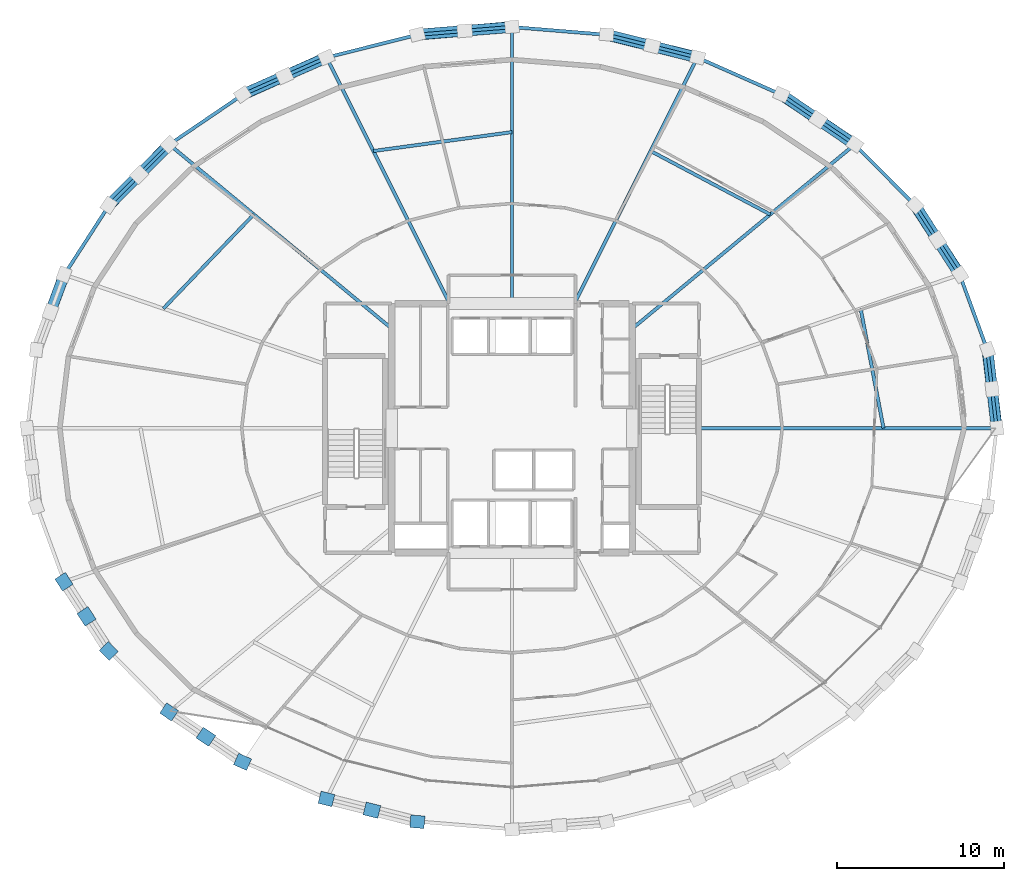
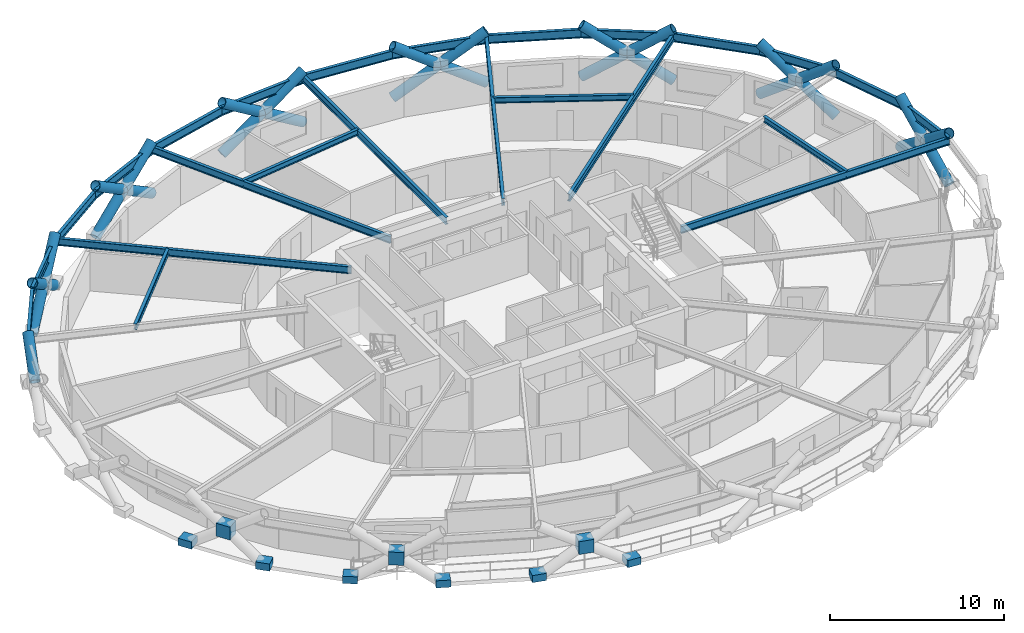
# One storey, part 13 of 22: 24 beams, 22 members, 9 plates.
"""IFC4 building model written with IfcOpenShell, lengths in metres."""

from ifc_helpers import new_model, si_unit, direction, frame, origin, origin_2d, place, context, subcontext, project, spatial, rectangle, hollow_circle, i_section, extrude, material, layer, layer_set, material_profile, profile_set, type_object, element, save


model = new_model("IFC4")

# Units and contexts
model_context = context("Model", 3, precision=1e-05, world=origin(), true_north=direction((0.0, 1.0)))
body_context = subcontext(model_context, "Body", "Model", "MODEL_VIEW")
ifc_project = project(units=[si_unit("LENGTHUNIT", "METRE"), si_unit("AREAUNIT", "SQUARE_METRE"), si_unit("VOLUMEUNIT", "CUBIC_METRE"), si_unit("PLANEANGLEUNIT", "RADIAN"), si_unit("MASSUNIT", "GRAM", prefix="KILO")], contexts=[model_context])

# Site, building, storey
site_placement = place(None, origin())
site = spatial("IfcSite", under=ifc_project, at=site_placement, CompositionType="ELEMENT")
building_placement = place(site_placement, origin())
building = spatial("IfcBuilding", under=site, at=building_placement, Name="Veldorina Hangang Commons", CompositionType="ELEMENT")
storey_placement = place(building_placement, frame((0.0, 0.0, 80.800048828125)))
storey = spatial("IfcBuildingStorey", under=building, at=storey_placement, Name="L20", CompositionType="ELEMENT", Elevation=80.800048828125)

# Beams
ifc_material_1 = material(Name="Steel SM420-TMC", Category="steel")
ifc_material_profile_1 = material_profile(ifc_material_1, i_section(OverallWidth=0.199951171875, OverallDepth=0.5, WebThickness=0.010009765625, FlangeThickness=0.01611328125, FilletRadius=0.01611328125, at=origin_2d()), Name="H-500x200x10x16")
ifc_profile_set_1 = profile_set([ifc_material_profile_1], Name="Steel SM420-TMC")
beam_type_1 = type_object("IfcBeamType", Name="BM-FG500", PredefinedType="BEAM", material=ifc_profile_set_1)
beam_1_placement = place(storey_placement, frame((43.179931640625, 24.0, 3.08984375), z_axis=(1.0, 0.0, 0.0), x_axis=(0.0, 1.0, 0.0)))
element("IfcBeam", 1, at=beam_1_placement, inside=storey, type_object=beam_type_1, Name="L20 radial floor girder 01", PredefinedType="BEAM", context=body_context, shape_type="SweptSolid", body=[
    extrude(i_section(OverallWidth=0.199951171875, OverallDepth=0.5, WebThickness=0.010009765625, FlangeThickness=0.01611328125, FilletRadius=0.01611328125, at=origin_2d()), origin(), (0.0, 0.0, 1.0), 17.802490234375),
])
beam_2_placement = place(storey_placement, frame((39.199951171875, 29.959228515625, 3.08984375), z_axis=(0.770360053232, 0.637609118806, 0.0), x_axis=(-0.637609118806, 0.770360053232, 0.0)))
element("IfcBeam", 2, at=beam_2_placement, inside=storey, type_object=beam_type_1, Name="L20 radial floor girder 03", PredefinedType="BEAM", context=body_context, shape_type="SweptSolid", body=[
    extrude(i_section(OverallWidth=0.199951171875, OverallDepth=0.5, WebThickness=0.010009765625, FlangeThickness=0.01611328125, FilletRadius=0.01611328125, at=origin_2d()), origin(), (0.0, 0.0, 1.0), 17.256103515625),
])
beam_3_placement = place(storey_placement, frame((35.728515625, 31.449951171875, 3.08984375), z_axis=(0.447540053127, 0.894263887701, 0.0), x_axis=(-0.894263887701, 0.447540053127, 0.0)))
element("IfcBeam", 3, at=beam_3_placement, inside=storey, type_object=beam_type_1, Name="L20 radial floor girder 04", PredefinedType="BEAM", context=body_context, shape_type="SweptSolid", body=[
    extrude(i_section(OverallWidth=0.199951171875, OverallDepth=0.5, WebThickness=0.010009765625, FlangeThickness=0.01611328125, FilletRadius=0.01611328125, at=origin_2d()), origin(), (0.0, 0.0, 1.0), 16.451171875),
])
beam_4_placement = place(storey_placement, frame((32.0, 31.449951171875, 3.08984375), z_axis=(0.0, 1.0, 0.0), x_axis=(-1.0, 0.0, 0.0)))
element("IfcBeam", 4, at=beam_4_placement, inside=storey, type_object=beam_type_1, Name="L20 radial floor girder 05", PredefinedType="BEAM", context=body_context, shape_type="SweptSolid", body=[
    extrude(i_section(OverallWidth=0.199951171875, OverallDepth=0.5, WebThickness=0.010009765625, FlangeThickness=0.01611328125, FilletRadius=0.01611328125, at=origin_2d()), origin(), (0.0, 0.0, 1.0), 16.53759765625),
])
beam_5_placement = place(storey_placement, frame((28.271484375, 31.449951171875, 3.08984375), z_axis=(-0.447540053127, 0.894263887701, 0.0), x_axis=(-0.894263887701, -0.447540053127, 0.0)))
element("IfcBeam", 5, at=beam_5_placement, inside=storey, type_object=beam_type_1, Name="L20 radial floor girder 06", PredefinedType="BEAM", context=body_context, shape_type="SweptSolid", body=[
    extrude(i_section(OverallWidth=0.199951171875, OverallDepth=0.5, WebThickness=0.010009765625, FlangeThickness=0.01611328125, FilletRadius=0.01611328125, at=origin_2d()), origin(), (0.0, 0.0, 1.0), 16.451171875),
])
beam_6_placement = place(storey_placement, frame((24.800048828125, 29.959228515625, 3.08984375), z_axis=(-0.770360053232, 0.637609118806, 0.0), x_axis=(-0.637609118806, -0.770360053232, 0.0)))
element("IfcBeam", 6, at=beam_6_placement, inside=storey, type_object=beam_type_1, Name="L20 radial floor girder 07", PredefinedType="BEAM", context=body_context, shape_type="SweptSolid", body=[
    extrude(i_section(OverallWidth=0.199951171875, OverallDepth=0.5, WebThickness=0.010009765625, FlangeThickness=0.01611328125, FilletRadius=0.01611328125, at=origin_2d()), origin(), (0.0, 0.0, 1.0), 17.256103515625),
])
ifc_material_2 = material(Name="Steel SM355-TMC", Category="steel")
ifc_material_profile_2 = material_profile(ifc_material_2, i_section(OverallWidth=0.199951171875, OverallDepth=0.39990234375, WebThickness=0.008056640625, FlangeThickness=0.012939453125, FilletRadius=0.012939453125, at=origin_2d()), Name="H-400x200x8x13")
ifc_profile_set_2 = profile_set([ifc_material_profile_2], Name="Steel SM355-TMC")
beam_type_2 = type_object("IfcBeamType", Name="BM-JST400", PredefinedType="JOIST", material=ifc_profile_set_2)
beam_7_placement = place(storey_placement, frame((54.21728515625, 24.0, 3.139892578125), z_axis=(-0.187929057734, 0.982182604845, 0.0), x_axis=(-0.982182604845, -0.187929057734, 0.0)))
element("IfcBeam", 7, at=beam_7_placement, inside=storey, type_object=beam_type_2, Name="L20 secondary floor joist 01", PredefinedType="JOIST", context=body_context, shape_type="SweptSolid", body=[
    extrude(i_section(OverallWidth=0.199951171875, OverallDepth=0.39990234375, WebThickness=0.008056640625, FlangeThickness=0.012939453125, FilletRadius=0.012939453125, at=origin_2d()), origin(), (0.0, 0.0, 1.0), 7.277587890625),
])
beam_8_placement = place(storey_placement, frame((47.44189453125, 36.78076171875, 3.139892578125), z_axis=(-0.883484618335, 0.468460168173, 0.0), x_axis=(-0.468460168173, -0.883484618335, 0.0)))
element("IfcBeam", 8, at=beam_8_placement, inside=storey, type_object=beam_type_2, Name="L20 secondary floor joist 03", PredefinedType="JOIST", context=body_context, shape_type="SweptSolid", body=[
    extrude(i_section(OverallWidth=0.199951171875, OverallDepth=0.39990234375, WebThickness=0.008056640625, FlangeThickness=0.012939453125, FilletRadius=0.012939453125, at=origin_2d()), origin(), (0.0, 0.0, 1.0), 8.091552734375),
])
beam_9_placement = place(storey_placement, frame((32.0, 41.703369140625, 3.139892578125), z_axis=(-0.990811166451, -0.135252476636, 0.0), x_axis=(0.135252476636, -0.990811166451, 0.0)))
element("IfcBeam", 9, at=beam_9_placement, inside=storey, type_object=beam_type_2, Name="L20 secondary floor joist 05", PredefinedType="JOIST", context=body_context, shape_type="SweptSolid", body=[
    extrude(i_section(OverallWidth=0.199951171875, OverallDepth=0.39990234375, WebThickness=0.008056640625, FlangeThickness=0.012939453125, FilletRadius=0.012939453125, at=origin_2d()), origin(), (0.0, 0.0, 1.0), 8.3701171875),
])
beam_10_placement = place(storey_placement, frame((16.55810546875, 36.78076171875, 3.139892578125), z_axis=(-0.692546146459, -0.721373575219, 0.0), x_axis=(0.721373575219, -0.692546146459, 0.0)))
element("IfcBeam", 10, at=beam_10_placement, inside=storey, type_object=beam_type_2, Name="L20 secondary floor joist 07", PredefinedType="JOIST", context=body_context, shape_type="SweptSolid", body=[
    extrude(i_section(OverallWidth=0.199951171875, OverallDepth=0.39990234375, WebThickness=0.008056640625, FlangeThickness=0.012939453125, FilletRadius=0.012939453125, at=origin_2d()), origin(), (0.0, 0.0, 1.0), 7.808349609375),
])
ifc_material_profile_3 = material_profile(ifc_material_1, i_section(OverallWidth=0.199951171875, OverallDepth=0.60009765625, WebThickness=0.010986328125, FlangeThickness=0.01708984375, FilletRadius=0.01806640625, at=origin_2d()), Name="H-600x200x11x17")
ifc_profile_set_3 = profile_set([ifc_material_profile_3], Name="Steel SM420-TMC")
beam_type_3 = type_object("IfcBeamType", Name="BM-RB600", PredefinedType="BEAM", material=ifc_profile_set_3)
beam_11_placement = place(storey_placement, frame((60.982421875, 24.0, 3.0400390625), z_axis=(-0.118217754595, 0.992987695039, 0.0), x_axis=(-0.992987695039, -0.118217754595, 0.0)))
element("IfcBeam", 11, at=beam_11_placement, inside=storey, type_object=beam_type_3, Name="L20 perimeter hoop ring beam 00", PredefinedType="BEAM", context=body_context, shape_type="SweptSolid", body=[
    extrude(i_section(OverallWidth=0.199951171875, OverallDepth=0.60009765625, WebThickness=0.010986328125, FlangeThickness=0.01708984375, FilletRadius=0.01806640625, at=origin_2d()), origin(), (0.0, 0.0, 1.0), 4.712646484375),
])
beam_12_placement = place(storey_placement, frame((60.42529296875, 28.6796875, 3.0400390625), z_axis=(-0.344101973275, 0.938932282962, 0.0), x_axis=(-0.938932282962, -0.344101973275, 0.0)))
element("IfcBeam", 12, at=beam_12_placement, inside=storey, type_object=beam_type_3, Name="L20 perimeter hoop ring beam 01", PredefinedType="BEAM", context=body_context, shape_type="SweptSolid", body=[
    extrude(i_section(OverallWidth=0.199951171875, OverallDepth=0.60009765625, WebThickness=0.010986328125, FlangeThickness=0.01708984375, FilletRadius=0.01806640625, at=origin_2d()), origin(), (0.0, 0.0, 1.0), 4.792724609375),
])
beam_13_placement = place(storey_placement, frame((58.776123046875, 33.1796875, 3.0400390625), z_axis=(-0.542498531233, 0.840056750232, 0.0), x_axis=(-0.840056750232, -0.542498531233, 0.0)))
element("IfcBeam", 13, at=beam_13_placement, inside=storey, type_object=beam_type_3, Name="L20 perimeter hoop ring beam 02", PredefinedType="BEAM", context=body_context, shape_type="SweptSolid", body=[
    extrude(i_section(OverallWidth=0.199951171875, OverallDepth=0.60009765625, WebThickness=0.010986328125, FlangeThickness=0.01708984375, FilletRadius=0.01806640625, at=origin_2d()), origin(), (0.0, 0.0, 1.0), 4.936767578125),
])
beam_14_placement = place(storey_placement, frame((56.097900390625, 37.326904296875, 3.0400390625), z_axis=(-0.704119769515, 0.710081227873, 0.0), x_axis=(-0.710081227873, -0.704119769515, 0.0)))
element("IfcBeam", 14, at=beam_14_placement, inside=storey, type_object=beam_type_3, Name="L20 perimeter hoop ring beam 03", PredefinedType="BEAM", context=body_context, shape_type="SweptSolid", body=[
    extrude(i_section(OverallWidth=0.199951171875, OverallDepth=0.60009765625, WebThickness=0.010986328125, FlangeThickness=0.01708984375, FilletRadius=0.01806640625, at=origin_2d()), origin(), (0.0, 0.0, 1.0), 5.119140625),
])
beam_15_placement = place(storey_placement, frame((52.493408203125, 40.9619140625, 3.0400390625), z_axis=(-0.82722233744, 0.561874723084, 0.0), x_axis=(-0.561874723084, -0.82722233744, 0.0)))
element("IfcBeam", 15, at=beam_15_placement, inside=storey, type_object=beam_type_3, Name="L20 perimeter hoop ring beam 04", PredefinedType="BEAM", context=body_context, shape_type="SweptSolid", body=[
    extrude(i_section(OverallWidth=0.199951171875, OverallDepth=0.60009765625, WebThickness=0.010986328125, FlangeThickness=0.01708984375, FilletRadius=0.01806640625, at=origin_2d()), origin(), (0.0, 0.0, 1.0), 5.308837890625),
])
beam_16_placement = place(storey_placement, frame((48.101806640625, 43.94482421875, 3.0400390625), z_axis=(-0.914501099658, 0.404583413803, 0.0), x_axis=(-0.404583413803, -0.914501099658, 0.0)))
element("IfcBeam", 16, at=beam_16_placement, inside=storey, type_object=beam_type_3, Name="L20 perimeter hoop ring beam 05", PredefinedType="BEAM", context=body_context, shape_type="SweptSolid", body=[
    extrude(i_section(OverallWidth=0.199951171875, OverallDepth=0.60009765625, WebThickness=0.010986328125, FlangeThickness=0.01708984375, FilletRadius=0.01806640625, at=origin_2d()), origin(), (0.0, 0.0, 1.0), 5.479248046875),
])
beam_17_placement = place(storey_placement, frame((43.091064453125, 46.16162109375, 3.0400390625), z_axis=(-0.96990120544, 0.243498771424, 0.0), x_axis=(-0.243498771424, -0.96990120544, 0.0)))
element("IfcBeam", 17, at=beam_17_placement, inside=storey, type_object=beam_type_3, Name="L20 perimeter hoop ring beam 06", PredefinedType="BEAM", context=body_context, shape_type="SweptSolid", body=[
    extrude(i_section(OverallWidth=0.199951171875, OverallDepth=0.60009765625, WebThickness=0.010986328125, FlangeThickness=0.01708984375, FilletRadius=0.01806640625, at=origin_2d()), origin(), (0.0, 0.0, 1.0), 5.605712890625),
])
for number, where, z_axis, x_axis, name in (
    (18, (37.654052734375, 47.526611328125, 3.0400390625), (-0.996693441702, 0.081253820024, 0.0), (-0.081253820024, -0.996693441702, 0.0), "L20 perimeter hoop ring beam 07"),
    (19, (32.0, 47.987548828125, 3.0400390625), (-0.996693441702, -0.081253820024, 0.0), (0.081253820024, -0.996693441702, 0.0), "L20 perimeter hoop ring beam 08"),
):
    element("IfcBeam", number, at=place(storey_placement, frame(where, z_axis=z_axis, x_axis=x_axis)), inside=storey, type_object=beam_type_3, Name=name, PredefinedType="BEAM", context=body_context, shape_type="SweptSolid", body=[
        extrude(i_section(OverallWidth=0.199951171875, OverallDepth=0.60009765625, WebThickness=0.010986328125, FlangeThickness=0.01708984375, FilletRadius=0.01806640625, at=origin_2d()), origin(), (0.0, 0.0, 1.0), 5.6728515625),
    ])
beam_18_placement = place(storey_placement, frame((26.345947265625, 47.526611328125, 3.0400390625), z_axis=(-0.96990120544, -0.243498771424, 0.0), x_axis=(0.243498771424, -0.96990120544, 0.0)))
element("IfcBeam", 20, at=beam_18_placement, inside=storey, type_object=beam_type_3, Name="L20 perimeter hoop ring beam 09", PredefinedType="BEAM", context=body_context, shape_type="SweptSolid", body=[
    extrude(i_section(OverallWidth=0.199951171875, OverallDepth=0.60009765625, WebThickness=0.010986328125, FlangeThickness=0.01708984375, FilletRadius=0.01806640625, at=origin_2d()), origin(), (0.0, 0.0, 1.0), 5.605712890625),
])
beam_19_placement = place(storey_placement, frame((20.908935546875, 46.16162109375, 3.0400390625), z_axis=(-0.914501099658, -0.404583413803, 0.0), x_axis=(0.404583413803, -0.914501099658, 0.0)))
element("IfcBeam", 21, at=beam_19_placement, inside=storey, type_object=beam_type_3, Name="L20 perimeter hoop ring beam 10", PredefinedType="BEAM", context=body_context, shape_type="SweptSolid", body=[
    extrude(i_section(OverallWidth=0.199951171875, OverallDepth=0.60009765625, WebThickness=0.010986328125, FlangeThickness=0.01708984375, FilletRadius=0.01806640625, at=origin_2d()), origin(), (0.0, 0.0, 1.0), 5.479248046875),
])
beam_20_placement = place(storey_placement, frame((15.898193359375, 43.94482421875, 3.0400390625), z_axis=(-0.82722233744, -0.561874723084, 0.0), x_axis=(0.561874723084, -0.82722233744, 0.0)))
element("IfcBeam", 22, at=beam_20_placement, inside=storey, type_object=beam_type_3, Name="L20 perimeter hoop ring beam 11", PredefinedType="BEAM", context=body_context, shape_type="SweptSolid", body=[
    extrude(i_section(OverallWidth=0.199951171875, OverallDepth=0.60009765625, WebThickness=0.010986328125, FlangeThickness=0.01708984375, FilletRadius=0.01806640625, at=origin_2d()), origin(), (0.0, 0.0, 1.0), 5.308837890625),
])
beam_21_placement = place(storey_placement, frame((11.506591796875, 40.9619140625, 3.0400390625), z_axis=(-0.704119769515, -0.710081227873, 0.0), x_axis=(0.710081227873, -0.704119769515, 0.0)))
element("IfcBeam", 23, at=beam_21_placement, inside=storey, type_object=beam_type_3, Name="L20 perimeter hoop ring beam 12", PredefinedType="BEAM", context=body_context, shape_type="SweptSolid", body=[
    extrude(i_section(OverallWidth=0.199951171875, OverallDepth=0.60009765625, WebThickness=0.010986328125, FlangeThickness=0.01708984375, FilletRadius=0.01806640625, at=origin_2d()), origin(), (0.0, 0.0, 1.0), 5.119140625),
])
beam_22_placement = place(storey_placement, frame((7.902099609375, 37.326904296875, 3.0400390625), z_axis=(-0.542498531233, -0.840056750232, 0.0), x_axis=(0.840056750232, -0.542498531233, 0.0)))
element("IfcBeam", 24, at=beam_22_placement, inside=storey, type_object=beam_type_3, Name="L20 perimeter hoop ring beam 13", PredefinedType="BEAM", context=body_context, shape_type="SweptSolid", body=[
    extrude(i_section(OverallWidth=0.199951171875, OverallDepth=0.60009765625, WebThickness=0.010986328125, FlangeThickness=0.01708984375, FilletRadius=0.01806640625, at=origin_2d()), origin(), (0.0, 0.0, 1.0), 4.936767578125),
])

# Members
ifc_material_3 = material(Name="Steel SM460-TMC", Category="steel")
ifc_material_profile_4 = material_profile(ifc_material_3, hollow_circle(Radius=0.324951171875, WallThickness=0.031982421875, at=origin_2d()), Name="CHS-650x32")
ifc_profile_set_4 = profile_set([ifc_material_profile_4], Name="Steel SM460-TMC")
member_type = type_object("IfcMemberType", Name="DG-CHS650", PredefinedType="BRACE", material=ifc_profile_set_4)
member_1_placement = place(storey_placement, frame((61.0, 24.0, 0.0), z_axis=(-0.097418686877, 0.788815611613, 0.606860387834), x_axis=(-0.992460023774, -0.122568761154, 0.0)))
element("IfcMember", 25, at=member_1_placement, inside=storey, type_object=member_type, Name="L20 continuous perimeter diagrid brace 00", PredefinedType="BRACE", context=body_context, shape_type="SweptSolid", body=[
    extrude(hollow_circle(Radius=0.324951171875, WallThickness=0.031982421875, at=origin_2d()), origin(), (0.0, 0.0, 1.0), 5.931884765625),
])
member_2_placement = place(storey_placement, frame((60.44287109375, 28.68212890625, 0.0), z_axis=(0.090376433627, -0.789517988475, 0.607036610197), x_axis=(0.993511957412, 0.113727703215, 0.0)))
element("IfcMember", 26, at=member_2_placement, inside=storey, type_object=member_type, Name="L20 split perimeter diagrid lower brace 01", PredefinedType="BRACE", context=body_context, shape_type="SweptSolid", body=[
    extrude(hollow_circle(Radius=0.324951171875, WallThickness=0.031982421875, at=origin_2d()), origin(), (0.0, 0.0, 1.0), 2.966064453125),
])
member_3_placement = place(storey_placement, frame((60.7109375, 26.34033203125, 1.800537109375), z_axis=(0.090434287664, -0.789529218166, 0.607013388054), x_axis=(0.993503911967, 0.113797965297, 0.0)))
element("IfcMember", 27, at=member_3_placement, inside=storey, type_object=member_type, Name="L20 split perimeter diagrid upper brace 01", PredefinedType="BRACE", context=body_context, shape_type="SweptSolid", body=[
    extrude(hollow_circle(Radius=0.324951171875, WallThickness=0.031982421875, at=origin_2d()), origin(), (0.0, 0.0, 1.0), 2.964111328125),
])
member_4_placement = place(storey_placement, frame((58.79248046875, 33.184326171875, 0.0), z_axis=(-0.441150326606, 0.677298320048, 0.588772770257), x_axis=(-0.837930835163, -0.545776433609, 0.0)))
element("IfcMember", 28, at=member_4_placement, inside=storey, type_object=member_type, Name="L20 continuous perimeter diagrid brace 02", PredefinedType="BRACE", context=body_context, shape_type="SweptSolid", body=[
    extrude(hollow_circle(Radius=0.324951171875, WallThickness=0.031982421875, at=origin_2d()), origin(), (0.0, 0.0, 1.0), 6.1142578125),
])
member_5_placement = place(storey_placement, frame((56.112548828125, 37.333740234375, 0.0), z_axis=(0.435650597399, -0.680289467082, 0.589419034273), x_axis=(0.842122238199, 0.539286691779, 0.0)))
element("IfcMember", 29, at=member_5_placement, inside=storey, type_object=member_type, Name="L20 split perimeter diagrid lower brace 03", PredefinedType="BRACE", context=body_context, shape_type="SweptSolid", body=[
    extrude(hollow_circle(Radius=0.324951171875, WallThickness=0.031982421875, at=origin_2d()), origin(), (0.0, 0.0, 1.0), 3.0546875),
])
member_6_placement = place(storey_placement, frame((57.443359375, 35.255615234375, 1.800537109375), z_axis=(0.435612602481, -0.680329797926, 0.589400565501), x_axis=(0.842158115477, 0.539230663572, 0.0)))
element("IfcMember", 30, at=member_6_placement, inside=storey, type_object=member_type, Name="L20 split perimeter diagrid upper brace 03", PredefinedType="BRACE", context=body_context, shape_type="SweptSolid", body=[
    extrude(hollow_circle(Radius=0.324951171875, WallThickness=0.031982421875, at=origin_2d()), origin(), (0.0, 0.0, 1.0), 3.052734375),
])
member_7_placement = place(storey_placement, frame((52.506103515625, 40.970703125, 0.0), z_axis=(-0.686391579322, 0.463032883325, 0.560773705513), x_axis=(-0.559239319862, -0.829006262413, 0.0)))
element("IfcMember", 31, at=member_7_placement, inside=storey, type_object=member_type, Name="L20 continuous perimeter diagrid brace 04", PredefinedType="BRACE", context=body_context, shape_type="SweptSolid", body=[
    extrude(hollow_circle(Radius=0.324951171875, WallThickness=0.031982421875, at=origin_2d()), origin(), (0.0, 0.0, 1.0), 6.41943359375),
])
member_8_placement = place(storey_placement, frame((48.111572265625, 43.955322265625, 0.0), z_axis=(0.683081972865, -0.467111443831, 0.561432023836), x_axis=(0.564469535312, 0.825453901623, 0.0)))
element("IfcMember", 32, at=member_8_placement, inside=storey, type_object=member_type, Name="L20 split perimeter diagrid lower brace 05", PredefinedType="BRACE", context=body_context, shape_type="SweptSolid", body=[
    extrude(hollow_circle(Radius=0.324951171875, WallThickness=0.031982421875, at=origin_2d()), origin(), (0.0, 0.0, 1.0), 3.20703125),
])
member_9_placement = place(storey_placement, frame((50.30224609375, 42.457275390625, 1.800537109375), z_axis=(0.683040836099, -0.467143253062, 0.56145560585), x_axis=(0.56451888906, 0.82542014992, 0.0)))
element("IfcMember", 33, at=member_9_placement, inside=storey, type_object=member_type, Name="L20 split perimeter diagrid upper brace 05", PredefinedType="BRACE", context=body_context, shape_type="SweptSolid", body=[
    extrude(hollow_circle(Radius=0.324951171875, WallThickness=0.031982421875, at=origin_2d()), origin(), (0.0, 0.0, 1.0), 3.204833984375),
])
member_10_placement = place(storey_placement, frame((43.097900390625, 46.173095703125, 0.0), z_axis=(-0.816821732886, 0.202740282131, 0.540091320691), x_axis=(-0.240896786714, -0.970550739607, 0.0)))
element("IfcMember", 34, at=member_10_placement, inside=storey, type_object=member_type, Name="L20 continuous perimeter diagrid brace 06", PredefinedType="BRACE", context=body_context, shape_type="SweptSolid", body=[
    extrude(hollow_circle(Radius=0.324951171875, WallThickness=0.031982421875, at=origin_2d()), origin(), (0.0, 0.0, 1.0), 6.665283203125),
])
member_11_placement = place(storey_placement, frame((37.65771484375, 47.538818359375, 0.0), z_axis=(0.815522808728, -0.207013382573, 0.540433166895), x_axis=(0.246038262979, 0.969260116352, 0.0)))
element("IfcMember", 35, at=member_11_placement, inside=storey, type_object=member_type, Name="L20 split perimeter diagrid lower brace 07", PredefinedType="BRACE", context=body_context, shape_type="SweptSolid", body=[
    extrude(hollow_circle(Radius=0.324951171875, WallThickness=0.031982421875, at=origin_2d()), origin(), (0.0, 0.0, 1.0), 3.33154296875),
])
member_12_placement = place(storey_placement, frame((40.374755859375, 46.84912109375, 1.800537109375), z_axis=(0.81548791761, -0.207153436494, 0.540432151136), x_axis=(0.246204528084, 0.969217896219, 0.0)))
element("IfcMember", 36, at=member_12_placement, inside=storey, type_object=member_type, Name="L20 split perimeter diagrid upper brace 07", PredefinedType="BRACE", context=body_context, shape_type="SweptSolid", body=[
    extrude(hollow_circle(Radius=0.324951171875, WallThickness=0.031982421875, at=origin_2d()), origin(), (0.0, 0.0, 1.0), 3.329345703125),
])
member_13_placement = place(storey_placement, frame((32.0, 48.0, 0.0), z_axis=(-0.841401888102, -0.070779931685, 0.535754667706), x_axis=(0.083825363275, -0.996480460657, 0.0)))
element("IfcMember", 37, at=member_13_placement, inside=storey, type_object=member_type, Name="L20 continuous perimeter diagrid brace 08", PredefinedType="BRACE", context=body_context, shape_type="SweptSolid", body=[
    extrude(hollow_circle(Radius=0.324951171875, WallThickness=0.031982421875, at=origin_2d()), origin(), (0.0, 0.0, 1.0), 6.71923828125),
])
member_14_placement = place(storey_placement, frame((26.34228515625, 47.538818359375, 0.0), z_axis=(0.841832409885, 0.066454719614, 0.535632302899), x_axis=(-0.078695737507, 0.99689868136, 0.0)))
element("IfcMember", 38, at=member_14_placement, inside=storey, type_object=member_type, Name="L20 split perimeter diagrid lower brace 09", PredefinedType="BRACE", context=body_context, shape_type="SweptSolid", body=[
    extrude(hollow_circle(Radius=0.324951171875, WallThickness=0.031982421875, at=origin_2d()), origin(), (0.0, 0.0, 1.0), 3.361572265625),
])
member_15_placement = place(storey_placement, frame((29.172119140625, 47.76220703125, 1.800537109375), z_axis=(0.841830953194, 0.066427824503, 0.535637928433), x_axis=(-0.078664220694, 0.996901168814, 0.0)))
element("IfcMember", 39, at=member_15_placement, inside=storey, type_object=member_type, Name="L20 split perimeter diagrid upper brace 09", PredefinedType="BRACE", context=body_context, shape_type="SweptSolid", body=[
    extrude(hollow_circle(Radius=0.324951171875, WallThickness=0.031982421875, at=origin_2d()), origin(), (0.0, 0.0, 1.0), 3.359130859375),
])
member_16_placement = place(storey_placement, frame((20.902099609375, 46.173095703125, 0.0), z_axis=(-0.763223079716, -0.340261597527, 0.549283693402), x_axis=(0.407188802268, -0.913344009291, 0.0)))
element("IfcMember", 40, at=member_16_placement, inside=storey, type_object=member_type, Name="L20 continuous perimeter diagrid brace 10", PredefinedType="BRACE", context=body_context, shape_type="SweptSolid", body=[
    extrude(hollow_circle(Radius=0.324951171875, WallThickness=0.031982421875, at=origin_2d()), origin(), (0.0, 0.0, 1.0), 6.5537109375),
])
member_17_placement = place(storey_placement, frame((15.888427734375, 43.955322265625, 0.0), z_axis=(0.765538366376, 0.335932133753, 0.548726353584), x_axis=(-0.401831721656, 0.915713529151, 0.0)))
element("IfcMember", 41, at=member_17_placement, inside=storey, type_object=member_type, Name="L20 split perimeter diagrid lower brace 11", PredefinedType="BRACE", context=body_context, shape_type="SweptSolid", body=[
    extrude(hollow_circle(Radius=0.324951171875, WallThickness=0.031982421875, at=origin_2d()), origin(), (0.0, 0.0, 1.0), 3.28125),
])
member_18_placement = place(storey_placement, frame((18.400390625, 45.0576171875, 1.800537109375), z_axis=(0.765455642503, 0.336040983912, 0.548775105569), x_axis=(-0.401977312186, 0.91564962758, 0.0)))
element("IfcMember", 42, at=member_18_placement, inside=storey, type_object=member_type, Name="L20 split perimeter diagrid upper brace 11", PredefinedType="BRACE", context=body_context, shape_type="SweptSolid", body=[
    extrude(hollow_circle(Radius=0.324951171875, WallThickness=0.031982421875, at=origin_2d()), origin(), (0.0, 0.0, 1.0), 3.27880859375),
])
member_19_placement = place(storey_placement, frame((11.493896484375, 40.970703125, 0.0), z_axis=(-0.573772467113, -0.58274924879, 0.575489764477), x_axis=(0.712573793687, -0.701597169714, 0.0)))
element("IfcMember", 43, at=member_19_placement, inside=storey, type_object=member_type, Name="L20 continuous perimeter diagrid brace 12", PredefinedType="BRACE", context=body_context, shape_type="SweptSolid", body=[
    extrude(hollow_circle(Radius=0.324951171875, WallThickness=0.031982421875, at=origin_2d()), origin(), (0.0, 0.0, 1.0), 6.25537109375),
])
member_20_placement = place(storey_placement, frame((7.887451171875, 37.333740234375, 0.0), z_axis=(0.578230685205, 0.579010076882, 0.574801361826), x_axis=(-0.707582851031, 0.706630390605, 0.0)))
element("IfcMember", 44, at=member_20_placement, inside=storey, type_object=member_type, Name="L20 split perimeter diagrid lower brace 13", PredefinedType="BRACE", context=body_context, shape_type="SweptSolid", body=[
    extrude(hollow_circle(Radius=0.324951171875, WallThickness=0.031982421875, at=origin_2d()), origin(), (0.0, 0.0, 1.0), 3.132568359375),
])
member_21_placement = place(storey_placement, frame((9.69873046875, 39.1474609375, 1.800537109375), z_axis=(0.57820516607, 0.579063037237, 0.574773681405), x_axis=(-0.707630757837, 0.706582415974, 0.0)))
element("IfcMember", 45, at=member_21_placement, inside=storey, type_object=member_type, Name="L20 split perimeter diagrid upper brace 13", PredefinedType="BRACE", context=body_context, shape_type="SweptSolid", body=[
    extrude(hollow_circle(Radius=0.324951171875, WallThickness=0.031982421875, at=origin_2d()), origin(), (0.0, 0.0, 1.0), 3.13037109375),
])
member_22_placement = place(storey_placement, frame((4.392333984375, 30.93115234375, 1.800537109375), z_axis=(0.27838338514, 0.74979445395, 0.600259083816), x_axis=(-0.937470847576, 0.348063801544, 0.0)))
element("IfcMember", 46, at=member_22_placement, inside=storey, type_object=member_type, Name="L20 split perimeter diagrid upper brace 15", PredefinedType="BRACE", context=body_context, shape_type="SweptSolid", body=[
    extrude(hollow_circle(Radius=0.324951171875, WallThickness=0.031982421875, at=origin_2d()), origin(), (0.0, 0.0, 1.0), 2.99755859375),
])

# Plates
ifc_layer = layer(ifc_material_3, 0.035888671875)
ifc_layer_set = layer_set([ifc_layer], Name="Steel SM460-TMC")
plate_type = type_object("IfcPlateType", Name="PL-STAR-36", PredefinedType="USERDEFINED", material=ifc_layer_set)
plate_1_placement = place(storey_placement, frame((5.20751953125, 14.815673828125, -0.090087890625), z_axis=(0.0, 0.0, 1.0), x_axis=(0.542544169404, -0.840027275894, 0.0)))
element("IfcPlate", 47, at=plate_1_placement, inside=storey, type_object=plate_type, Name="L20 diagrid star-node gusset plate 18", ObjectType="GUSSET PLATE", PredefinedType="USERDEFINED", context=body_context, shape_type="SweptSolid", body=[
    extrude(rectangle(XDim=0.85009765625, YDim=0.75, at=origin_2d()), origin(), (0.0, 0.0, 1.0), 0.5),
])
plate_2_placement = place(storey_placement, frame((6.556640625, 12.744384765625, 1.3505859375), z_axis=(0.0, 0.0, 1.0), x_axis=(0.542544169404, -0.840027275894, 0.0)))
element("IfcPlate", 48, at=plate_2_placement, inside=storey, type_object=plate_type, Name="L20 diagrid X-crossing star-node gusset plate 18", ObjectType="GUSSET PLATE", PredefinedType="USERDEFINED", context=body_context, shape_type="SweptSolid", body=[
    extrude(rectangle(XDim=0.89990234375, YDim=0.780029296875, at=origin_2d()), origin(), (0.0, 0.0, 1.0), 0.89990234375),
])
for number, where, z_axis, x_axis, name in (
    (49, (7.887451171875, 10.666259765625, -0.090087890625), (0.0, 0.0, 1.0), (0.704138664464, -0.710062491058, 0.0), "L20 diagrid star-node gusset plate 19"),
    (50, (11.493896484375, 7.029296875, -0.090087890625), (0.0, 0.0, 1.0), (0.827247311362, -0.561837953368, 0.0), "L20 diagrid star-node gusset plate 20"),
):
    element("IfcPlate", number, at=place(storey_placement, frame(where, z_axis=z_axis, x_axis=x_axis)), inside=storey, type_object=plate_type, Name=name, ObjectType="GUSSET PLATE", PredefinedType="USERDEFINED", context=body_context, shape_type="SweptSolid", body=[
        extrude(rectangle(XDim=0.85009765625, YDim=0.75, at=origin_2d()), origin(), (0.0, 0.0, 1.0), 0.5),
    ])
plate_3_placement = place(storey_placement, frame((13.69775390625, 5.542724609375, 1.3505859375), z_axis=(0.0, 0.0, 1.0), x_axis=(0.827247311362, -0.561837953368, 0.0)))
element("IfcPlate", 51, at=plate_3_placement, inside=storey, type_object=plate_type, Name="L20 diagrid X-crossing star-node gusset plate 20", ObjectType="GUSSET PLATE", PredefinedType="USERDEFINED", context=body_context, shape_type="SweptSolid", body=[
    extrude(rectangle(XDim=0.89990234375, YDim=0.780029296875, at=origin_2d()), origin(), (0.0, 0.0, 1.0), 0.89990234375),
])
for number, where, z_axis, x_axis, name in (
    (52, (15.888427734375, 4.044677734375, -0.090087890625), (0.0, 0.0, 1.0), (0.914522454215, -0.404535141535, 0.0), "L20 diagrid star-node gusset plate 21"),
    (53, (20.902099609375, 1.826904296875, -0.090087890625), (0.0, 0.0, 1.0), (0.969906020903, -0.243479589732, 0.0), "L20 diagrid star-node gusset plate 22"),
):
    element("IfcPlate", number, at=place(storey_placement, frame(where, z_axis=z_axis, x_axis=x_axis)), inside=storey, type_object=plate_type, Name=name, ObjectType="GUSSET PLATE", PredefinedType="USERDEFINED", context=body_context, shape_type="SweptSolid", body=[
        extrude(rectangle(XDim=0.85009765625, YDim=0.75, at=origin_2d()), origin(), (0.0, 0.0, 1.0), 0.5),
    ])
plate_4_placement = place(storey_placement, frame((23.625244140625, 1.15087890625, 1.3505859375), z_axis=(0.0, 0.0, 1.0), x_axis=(0.969906020903, -0.243479589732, 0.0)))
element("IfcPlate", 54, at=plate_4_placement, inside=storey, type_object=plate_type, Name="L20 diagrid X-crossing star-node gusset plate 22", ObjectType="GUSSET PLATE", PredefinedType="USERDEFINED", context=body_context, shape_type="SweptSolid", body=[
    extrude(rectangle(XDim=0.89990234375, YDim=0.780029296875, at=origin_2d()), origin(), (0.0, 0.0, 1.0), 0.89990234375),
])
plate_5_placement = place(storey_placement, frame((26.34228515625, 0.461181640625, -0.090087890625), z_axis=(0.0, 0.0, 1.0), x_axis=(0.996694347809, -0.081242704565, 0.0)))
element("IfcPlate", 55, at=plate_5_placement, inside=storey, type_object=plate_type, Name="L20 diagrid star-node gusset plate 23", ObjectType="GUSSET PLATE", PredefinedType="USERDEFINED", context=body_context, shape_type="SweptSolid", body=[
    extrude(rectangle(XDim=0.85009765625, YDim=0.75, at=origin_2d()), origin(), (0.0, 0.0, 1.0), 0.5),
])

save(model, "model.ifc")
